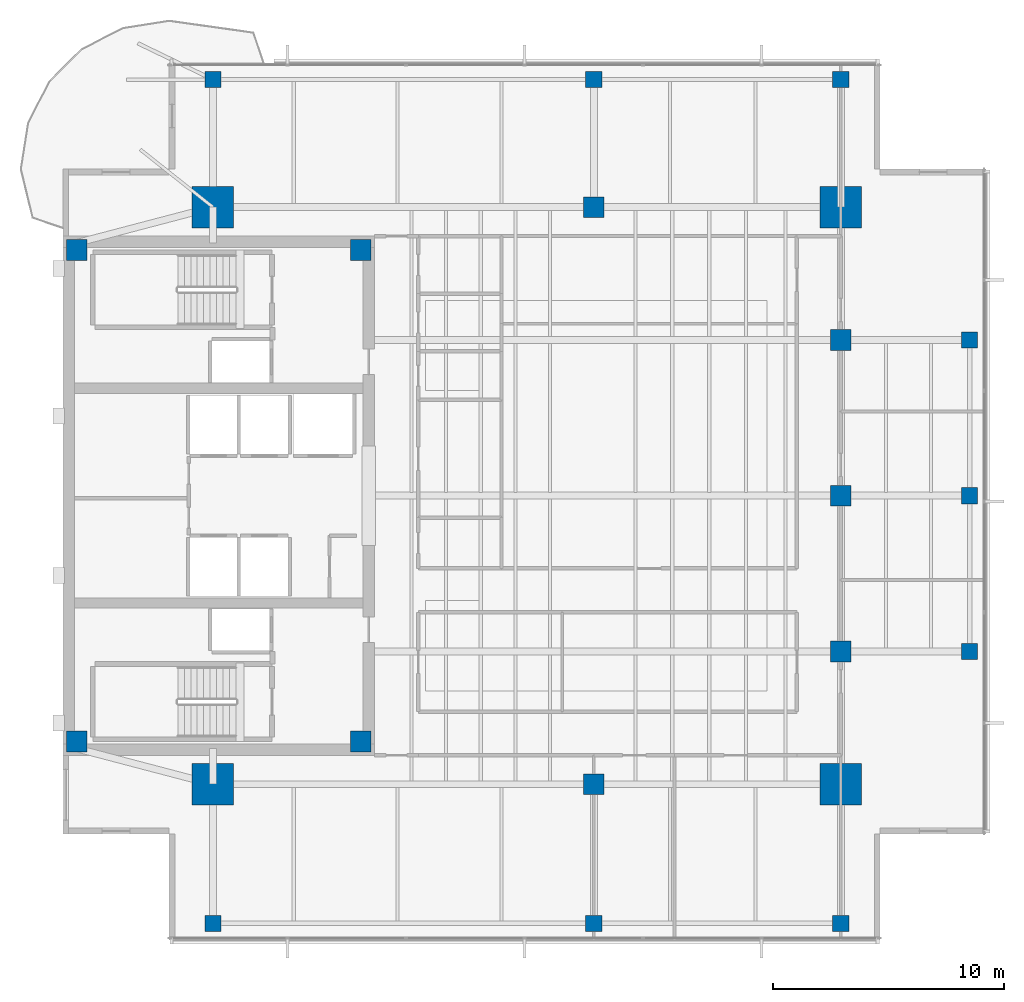
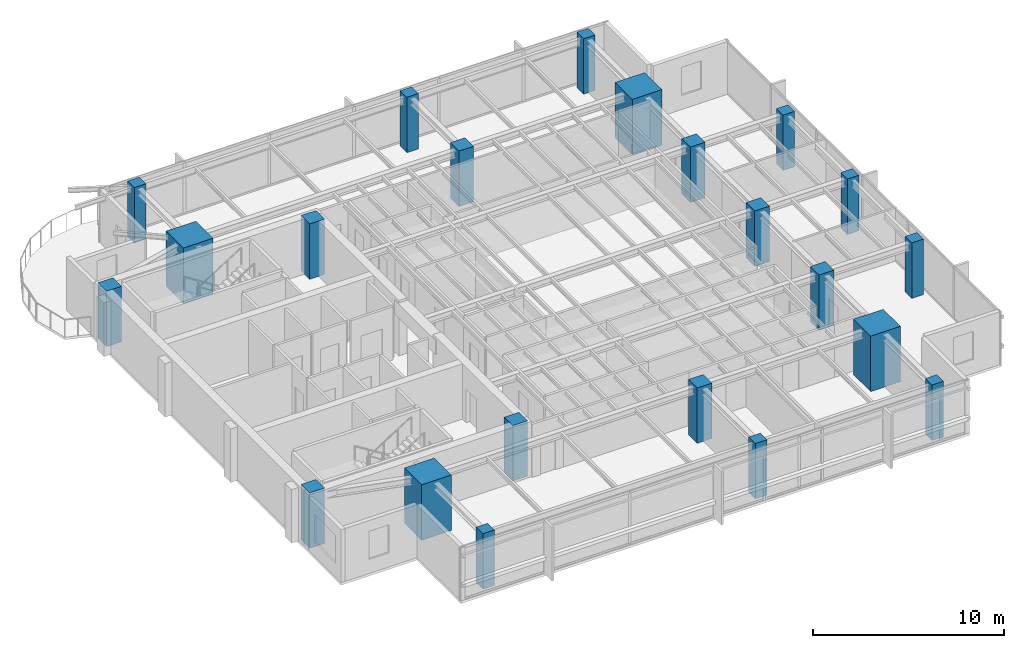
# One storey, part 1 of 14: 22 columns.
"""IFC4 building model written with IfcOpenShell, lengths in metres."""

import ifcopenshell
import ifcopenshell.guid

model = None  # the IFC model being written
_history = None  # IfcOwnerHistory: only IFC2X3 demands one
_inside = {}  # id of a spatial element -> (the spatial element, [elements in it])
_under = {}  # id of a project, library or spatial element -> (it, [spatial elements below it])
_declared = {}  # id of a project -> (the project, [libraries it declares])
_typed = {}  # id of a type object -> (the type object, [elements of that type])
_made_of = {}  # id of a material, layer set ... -> (it, [elements and type objects made of it])


def new_model(schema):
    """Start an empty IFC model of exactly this schema.

    Asked for "IFC4X3", IfcOpenShell would pick the latest addendum, in which some entities
    have other attributes; the version numbers below select the first issue.
    IFC2X3 requires an IfcOwnerHistory on every rooted entity: one is made here for all.
    """
    global model, _history
    if schema == "IFC4X3":
        model = ifcopenshell.file(schema_version=(4, 3, 0, 0))
    else:
        model = ifcopenshell.file(schema=schema)
    _inside.clear()
    _under.clear()
    _declared.clear()
    _typed.clear()
    _made_of.clear()
    _history = None
    if model.schema == "IFC2X3":
        org = make("IfcOrganization", Name="unknown")
        user = make(
            "IfcPersonAndOrganization",
            ThePerson=make("IfcPerson", FamilyName="unknown"),
            TheOrganization=org,
        )
        app = make(
            "IfcApplication",
            ApplicationDeveloper=org,
            Version="unknown",
            ApplicationFullName="unknown",
            ApplicationIdentifier="unknown",
        )
        _history = make(
            "IfcOwnerHistory",
            OwningUser=user,
            OwningApplication=app,
            ChangeAction="ADDED",
            CreationDate=0,
        )
    return model


def make(cls, **values):
    """One entity of the class cls with the attributes given. An attribute that is None is left unset."""
    return model.create_entity(
        cls, **{name: value for name, value in values.items() if value is not None}
    )


def rooted(cls, **values):
    """An entity with a GlobalId (a new one), such as an element, a storey or a relation."""
    return make(cls, GlobalId=ifcopenshell.guid.new(), OwnerHistory=_history, **values)


def si_unit(unit_type, name, prefix=None):
    """IfcSIUnit, for example si_unit("LENGTHUNIT", "METRE", prefix="MILLI")."""
    return make("IfcSIUnit", UnitType=unit_type, Prefix=prefix, Name=name)


def assignment(units):
    """IfcUnitAssignment: the units of a project."""
    return None if units is None else make("IfcUnitAssignment", Units=units)


def point(xyz):
    """IfcCartesianPoint."""
    return None if xyz is None else make("IfcCartesianPoint", Coordinates=xyz)


def direction(xyz):
    """IfcDirection."""
    return None if xyz is None else make("IfcDirection", DirectionRatios=xyz)


def frame(location, z_axis=None, x_axis=None):
    """IfcAxis2Placement3D, a coordinate frame: its origin and axes. An axis left out is left unset."""
    return make(
        "IfcAxis2Placement3D",
        Location=point(location),
        Axis=direction(z_axis),
        RefDirection=direction(x_axis),
    )


def frame_2d(location, x_axis=None):
    """IfcAxis2Placement2D, a coordinate frame in the plane: its origin and x axis."""
    return make(
        "IfcAxis2Placement2D", Location=point(location), RefDirection=direction(x_axis)
    )


def origin():
    """The frame at (0, 0, 0) with its axes left unset."""
    return frame((0.0, 0.0, 0.0))


def origin_2d():
    """The frame at (0, 0) in the plane with its x axis left unset."""
    return frame_2d((0.0, 0.0))


def place(relative_to, where):
    """IfcLocalPlacement: puts the frame where relative to a parent placement (None: the world)."""
    return make(
        "IfcLocalPlacement", PlacementRelTo=relative_to, RelativePlacement=where
    )


def context(
    kind, dimensions, precision=None, world=None, true_north=None, identifier=None
):
    """IfcGeometricRepresentationContext, for example the 3D "Model" context."""
    return make(
        "IfcGeometricRepresentationContext",
        ContextIdentifier=identifier,
        ContextType=kind,
        CoordinateSpaceDimension=dimensions,
        Precision=precision,
        WorldCoordinateSystem=world,
        TrueNorth=true_north,
    )


def subcontext(parent, identifier, kind, view, scale=None):
    """IfcGeometricRepresentationSubContext, for example "Body" below "Model"."""
    return make(
        "IfcGeometricRepresentationSubContext",
        ContextIdentifier=identifier,
        ContextType=kind,
        ParentContext=parent,
        TargetScale=scale,
        TargetView=view,
    )


def project(units=None, contexts=None):
    """IfcProject with its units and contexts."""
    return rooted(
        "IfcProject",
        Name="project",
        RepresentationContexts=contexts,
        UnitsInContext=assignment(units),
    )


def spatial(cls, under=None, at=None, **own):
    """A site, building, storey or space (cls), placed at a placement, below another one or the project."""
    s = rooted(cls, ObjectPlacement=at, **own)
    if under is not None:
        _under.setdefault(under.id(), (under, []))[1].append(s)
    return s


def profile(cls, at=None, kind="AREA", **sizes):
    """A parametric profile (cls). Its sizes go by their IFC names, for example OverallWidth=200.0."""
    return make(cls, ProfileType=kind, Position=at, **sizes)


def rectangle(**sizes):
    """IfcRectangleProfileDef."""
    return profile("IfcRectangleProfileDef", **sizes)


def extrude(swept, where, along, depth):
    """IfcExtrudedAreaSolid: the profile swept, set in the frame where, extruded along a direction by depth."""
    return make(
        "IfcExtrudedAreaSolid",
        SweptArea=swept,
        Position=where,
        ExtrudedDirection=direction(along),
        Depth=depth,
    )


def shape(context_of_items, identifier, shape_type, items):
    """IfcShapeRepresentation: the items that make up one representation, for example the "Body"."""
    return make(
        "IfcShapeRepresentation",
        ContextOfItems=context_of_items,
        RepresentationIdentifier=identifier,
        RepresentationType=shape_type,
        Items=items,
    )


def material(Name=None, Category=None):
    """IfcMaterial."""
    return make("IfcMaterial", Name=Name, Category=Category)


def material_profile(
    of_material, cross_section, Name=None, Category=None, Priority=None
):
    """IfcMaterialProfile: a cross section and its material."""
    return make(
        "IfcMaterialProfile",
        Name=Name,
        Material=of_material,
        Profile=cross_section,
        Priority=Priority,
        Category=Category,
    )


def profile_set(profiles, Name=None, composite=None):
    """IfcMaterialProfileSet."""
    return make(
        "IfcMaterialProfileSet",
        Name=Name,
        MaterialProfiles=profiles,
        CompositeProfile=composite,
    )


def made_of(thing, what):
    """Note that an element or type object is made of a material, layer set ...; save() writes the relation."""
    if what is not None:
        _made_of.setdefault(what.id(), (what, []))[1].append(thing)
    return thing


def type_object(cls, material=None, **own):
    """A type object (cls), such as IfcWallType, which elements share."""
    return made_of(rooted(cls, **own), material)


def element(
    cls,
    number,
    at=None,
    inside=None,
    cuts=None,
    type_object=None,
    material=None,
    context=None,
    identifier="Body",
    shape_type=None,
    held_by="IfcProductDefinitionShape",
    body=None,
    shapes=None,
    **own,
):
    """One element of the class cls, such as IfcWall. Its Tag is "e" and its number.

    at: its placement. inside: the storey or other place that contains it. cuts: it is an
    opening in that element (IfcRelVoidsElement). A single representation is given by context,
    identifier, shape_type and body (its items); several are given by shapes. held_by: the class
    of the entity that holds the representations. save() writes the other relations.
    """
    e = rooted(cls, Tag="e%d" % number, ObjectPlacement=at, **own)
    if body is not None:
        shapes = [shape(context, identifier, shape_type, body)]
    if shapes is not None:
        e.Representation = make(held_by, Representations=shapes)
    if inside is not None:
        _inside.setdefault(inside.id(), (inside, []))[1].append(e)
    if cuts is not None:
        rooted(
            "IfcRelVoidsElement", RelatingBuildingElement=cuts, RelatedOpeningElement=e
        )
    if type_object is not None:
        _typed.setdefault(type_object.id(), (type_object, []))[1].append(e)
    return made_of(e, material)


def aggregate(whole, parts):
    """IfcRelAggregates: a whole, such as a stair, and the parts it consists of."""
    return rooted("IfcRelAggregates", RelatingObject=whole, RelatedObjects=parts)


def save(model, path):
    """Write the relations noted so far, then the file.

    IfcRelAggregates (storeys below a building ...), IfcRelContainedInSpatialStructure (elements
    in a storey), IfcRelDefinesByType, IfcRelAssociatesMaterial and IfcRelDeclares: one each for
    every whole, place, type object, material and project.
    """
    for whole, parts in _under.values():
        aggregate(whole, parts)
    for where, things in _inside.values():
        rooted(
            "IfcRelContainedInSpatialStructure",
            RelatedElements=things,
            RelatingStructure=where,
        )
    for kind, things in _typed.values():
        rooted("IfcRelDefinesByType", RelatedObjects=things, RelatingType=kind)
    for what, things in _made_of.values():
        rooted("IfcRelAssociatesMaterial", RelatedObjects=things, RelatingMaterial=what)
    for by, libraries in _declared.values():
        rooted("IfcRelDeclares", RelatingContext=by, RelatedDefinitions=libraries)
    model.write(path)


model = new_model("IFC4")

# Units and contexts
model_context = context("Model", 3, precision=1e-05, world=origin(), true_north=direction((0.0, 1.0)))
body_context = subcontext(model_context, "Body", "Model", "MODEL_VIEW")
ifc_project = project(units=[si_unit("LENGTHUNIT", "METRE"), si_unit("AREAUNIT", "SQUARE_METRE"), si_unit("VOLUMEUNIT", "CUBIC_METRE"), si_unit("PLANEANGLEUNIT", "RADIAN"), si_unit("MASSUNIT", "GRAM", prefix="KILO")], contexts=[model_context])

# Site, building, storey
site_placement = place(None, origin())
site = spatial("IfcSite", under=ifc_project, at=site_placement, CompositionType="ELEMENT")
building_placement = place(site_placement, origin())
building = spatial("IfcBuilding", under=site, at=building_placement, Name="Kinhvarn Gate Tower", CompositionType="ELEMENT")
storey_placement = place(building_placement, frame((0.0, 0.0, 274.10009765625)))
storey = spatial("IfcBuildingStorey", under=building, at=storey_placement, Name="L73", CompositionType="ELEMENT", Elevation=274.10009765625)

# Columns
ifc_material_1 = material(Name="Concrete C60/75", Category="concrete")
ifc_material_profile_1 = material_profile(ifc_material_1, rectangle(XDim=1.800048828125, YDim=1.800048828125, at=origin_2d()), Name="RC 1800x1800")
ifc_profile_set_1 = profile_set([ifc_material_profile_1], Name="Concrete C60/75")
column_type_1 = type_object("IfcColumnType", Name="COL-MC-1800", PredefinedType="COLUMN", material=ifc_profile_set_1)
for number, where, z_axis, x_axis, name in (
    (1, (11.0, 12.75, 0.0), (0.0, 0.0, 1.0), (1.0, 0.0, 0.0), "Column MC1-L73 (MC-18)"),
    (2, (11.0, 37.75, 0.0), (0.0, 0.0, 1.0), (1.0, 0.0, 0.0), "Column MC4-L73 (MC-18)"),
    (3, (38.199951171875, 12.75, 0.0), (0.0, 0.0, 1.0), (1.0, 0.0, 0.0), "Column MC2-L73 (MC-18)"),
    (4, (38.199951171875, 37.75, 0.0), (0.0, 0.0, 1.0), (1.0, 0.0, 0.0), "Column MC3-L73 (MC-18)"),
):
    element("IfcColumn", number, at=place(storey_placement, frame(where, z_axis=z_axis, x_axis=x_axis)), inside=storey, type_object=column_type_1, Name=name, PredefinedType="COLUMN", context=body_context, shape_type="SweptSolid", body=[
        extrude(rectangle(XDim=1.800048828125, YDim=1.800048828125, at=origin_2d()), origin(), (0.0, 0.0, 1.0), 3.5498046875),
    ])
ifc_material_2 = material(Name="Concrete C50/60", Category="concrete")
ifc_material_profile_2 = material_profile(ifc_material_2, rectangle(XDim=0.699951171875, YDim=0.699951171875, at=origin_2d()), Name="RC 700x700")
ifc_profile_set_2 = profile_set([ifc_material_profile_2], Name="Concrete C50/60")
column_type_2 = type_object("IfcColumnType", Name="COL-RC-700", PredefinedType="COLUMN", material=ifc_profile_set_2)
for number, where, z_axis, x_axis, name in (
    (5, (43.780029296875, 18.5, 0.0), (0.0, 0.0, 1.0), (1.0, 0.0, 0.0), "Column CE-1-L73 (C-070)"),
    (6, (43.780029296875, 25.25, 0.0), (0.0, 0.0, 1.0), (1.0, 0.0, 0.0), "Column CE-2-L73 (C-070)"),
    (7, (43.780029296875, 32.0, 0.0), (0.0, 0.0, 1.0), (1.0, 0.0, 0.0), "Column CE-3-L73 (C-070)"),
    (8, (11.0, 6.719970703125, 0.0), (0.0, 0.0, 1.0), (1.0, 0.0, 0.0), "Column CS-0-L73 (C-070)"),
    (9, (27.5, 6.719970703125, 0.0), (0.0, 0.0, 1.0), (1.0, 0.0, 0.0), "Column CS-1-L73 (C-070)"),
    (10, (38.199951171875, 6.719970703125, 0.0), (0.0, 0.0, 1.0), (1.0, 0.0, 0.0), "Column CS-2-L73 (C-070)"),
    (11, (11.0, 43.280029296875, 0.0), (0.0, 0.0, 1.0), (1.0, 0.0, 0.0), "Column CN-0-L73 (C-070)"),
    (12, (27.5, 43.280029296875, 0.0), (0.0, 0.0, 1.0), (1.0, 0.0, 0.0), "Column CN-1-L73 (C-070)"),
    (13, (38.199951171875, 43.280029296875, 0.0), (0.0, 0.0, 1.0), (1.0, 0.0, 0.0), "Column CN-2-L73 (C-070)"),
):
    element("IfcColumn", number, at=place(storey_placement, frame(where, z_axis=z_axis, x_axis=x_axis)), inside=storey, type_object=column_type_2, Name=name, PredefinedType="COLUMN", context=body_context, shape_type="SweptSolid", body=[
        extrude(rectangle(XDim=0.699951171875, YDim=0.699951171875, at=origin_2d()), origin(), (0.0, 0.0, 1.0), 3.5498046875),
    ])
ifc_material_profile_3 = material_profile(ifc_material_1, rectangle(XDim=0.89990234375, YDim=0.89990234375, at=origin_2d()), Name="RC 900x900")
ifc_profile_set_3 = profile_set([ifc_material_profile_3], Name="Concrete C60/75")
column_type_3 = type_object("IfcColumnType", Name="COL-RC-900", PredefinedType="COLUMN", material=ifc_profile_set_3)
for number, where, z_axis, x_axis, name in (
    (14, (27.5, 12.75, 0.0), (0.0, 0.0, 1.0), (1.0, 0.0, 0.0), "Column SP27-S-L73 (C-090)"),
    (15, (27.5, 37.75, 0.0), (0.0, 0.0, 1.0), (1.0, 0.0, 0.0), "Column SP27-N-L73 (C-090)"),
    (16, (38.199951171875, 18.5, 0.0), (0.0, 0.0, 1.0), (1.0, 0.0, 0.0), "Column SP38-E1-L73 (C-090)"),
    (17, (38.199951171875, 25.25, 0.0), (0.0, 0.0, 1.0), (1.0, 0.0, 0.0), "Column SP38-E2-L73 (C-090)"),
    (18, (38.199951171875, 32.0, 0.0), (0.0, 0.0, 1.0), (1.0, 0.0, 0.0), "Column SP38-E3-L73 (C-090)"),
):
    element("IfcColumn", number, at=place(storey_placement, frame(where, z_axis=z_axis, x_axis=x_axis)), inside=storey, type_object=column_type_3, Name=name, PredefinedType="COLUMN", context=body_context, shape_type="SweptSolid", body=[
        extrude(rectangle(XDim=0.89990234375, YDim=0.89990234375, at=origin_2d()), origin(), (0.0, 0.0, 1.0), 3.5498046875),
    ])
ifc_material_profile_4 = material_profile(ifc_material_2, rectangle(XDim=0.89990234375, YDim=0.89990234375, at=origin_2d()), Name="RC 900x900")
ifc_profile_set_4 = profile_set([ifc_material_profile_4], Name="Concrete C50/60")
column_type_4 = type_object("IfcColumnType", Name="PIL-RC-900", PredefinedType="PILASTER", material=ifc_profile_set_4)
for number, where, z_axis, x_axis, name in (
    (19, (5.10009765625, 14.60009765625, 0.0), (0.0, 0.0, 1.0), (1.0, 0.0, 0.0), "Column CC-SW-L73 (CP-090)"),
    (20, (5.10009765625, 35.89990234375, 0.0), (0.0, 0.0, 1.0), (1.0, 0.0, 0.0), "Column CC-NW-L73 (CP-090)"),
    (21, (17.39990234375, 14.60009765625, 0.0), (0.0, 0.0, 1.0), (1.0, 0.0, 0.0), "Column CC-SE-L73 (CP-090)"),
    (22, (17.39990234375, 35.89990234375, 0.0), (0.0, 0.0, 1.0), (1.0, 0.0, 0.0), "Column CC-NE-L73 (CP-090)"),
):
    element("IfcColumn", number, at=place(storey_placement, frame(where, z_axis=z_axis, x_axis=x_axis)), inside=storey, type_object=column_type_4, Name=name, PredefinedType="PILASTER", context=body_context, shape_type="SweptSolid", body=[
        extrude(rectangle(XDim=0.89990234375, YDim=0.89990234375, at=origin_2d()), origin(), (0.0, 0.0, 1.0), 3.5498046875),
    ])

save(model, "model.ifc")
